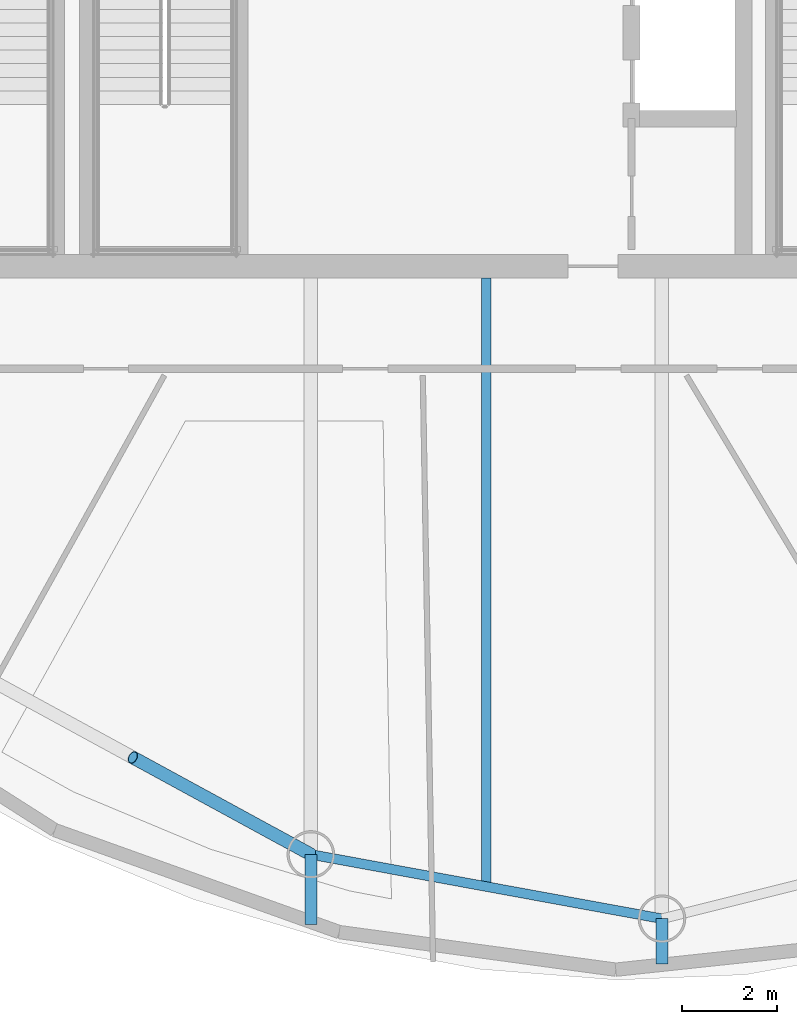
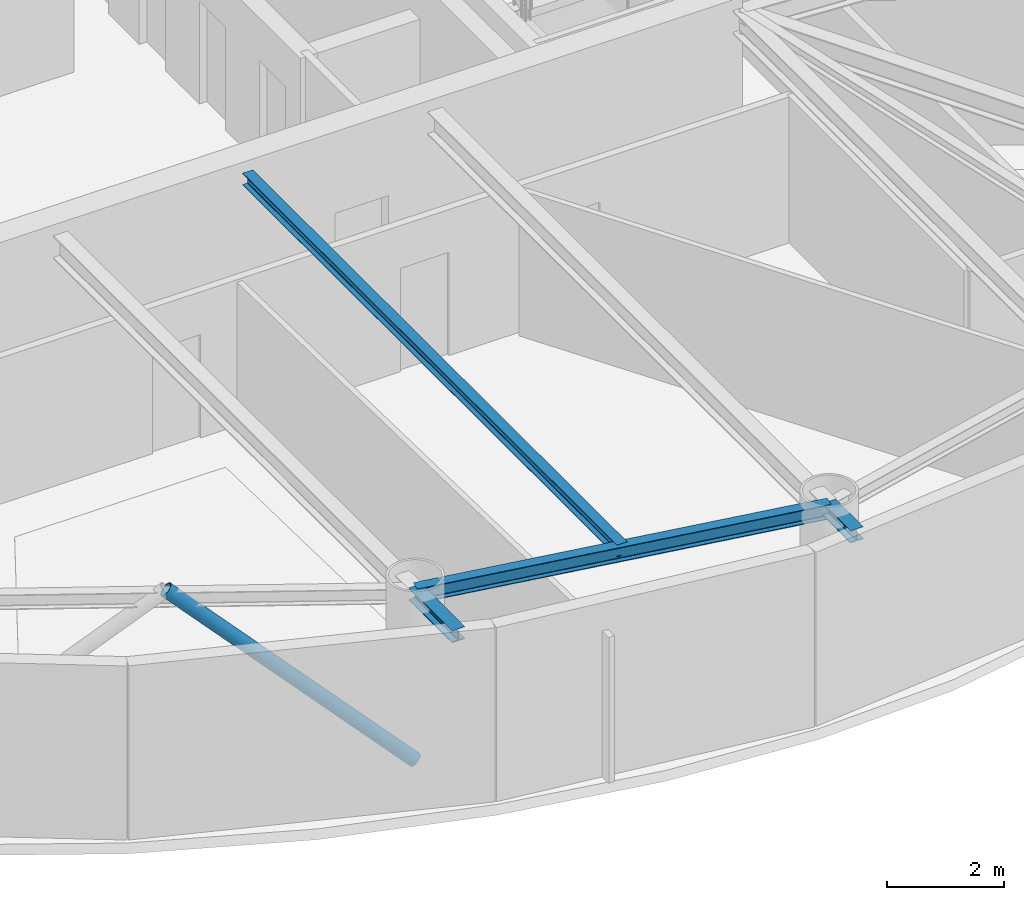
# One storey, part 4 of 22: 4 beams, 1 member.
"""IFC4 building model written with IfcOpenShell, lengths in metres."""

import ifcopenshell
import ifcopenshell.guid

model = None  # the IFC model being written
_history = None  # IfcOwnerHistory: only IFC2X3 demands one
_inside = {}  # id of a spatial element -> (the spatial element, [elements in it])
_under = {}  # id of a project, library or spatial element -> (it, [spatial elements below it])
_declared = {}  # id of a project -> (the project, [libraries it declares])
_typed = {}  # id of a type object -> (the type object, [elements of that type])
_made_of = {}  # id of a material, layer set ... -> (it, [elements and type objects made of it])


def new_model(schema):
    """Start an empty IFC model of exactly this schema.

    Asked for "IFC4X3", IfcOpenShell would pick the latest addendum, in which some entities
    have other attributes; the version numbers below select the first issue.
    IFC2X3 requires an IfcOwnerHistory on every rooted entity: one is made here for all.
    """
    global model, _history
    if schema == "IFC4X3":
        model = ifcopenshell.file(schema_version=(4, 3, 0, 0))
    else:
        model = ifcopenshell.file(schema=schema)
    _inside.clear()
    _under.clear()
    _declared.clear()
    _typed.clear()
    _made_of.clear()
    _history = None
    if model.schema == "IFC2X3":
        org = make("IfcOrganization", Name="unknown")
        user = make(
            "IfcPersonAndOrganization",
            ThePerson=make("IfcPerson", FamilyName="unknown"),
            TheOrganization=org,
        )
        app = make(
            "IfcApplication",
            ApplicationDeveloper=org,
            Version="unknown",
            ApplicationFullName="unknown",
            ApplicationIdentifier="unknown",
        )
        _history = make(
            "IfcOwnerHistory",
            OwningUser=user,
            OwningApplication=app,
            ChangeAction="ADDED",
            CreationDate=0,
        )
    return model


def make(cls, **values):
    """One entity of the class cls with the attributes given. An attribute that is None is left unset."""
    return model.create_entity(
        cls, **{name: value for name, value in values.items() if value is not None}
    )


def rooted(cls, **values):
    """An entity with a GlobalId (a new one), such as an element, a storey or a relation."""
    return make(cls, GlobalId=ifcopenshell.guid.new(), OwnerHistory=_history, **values)


def si_unit(unit_type, name, prefix=None):
    """IfcSIUnit, for example si_unit("LENGTHUNIT", "METRE", prefix="MILLI")."""
    return make("IfcSIUnit", UnitType=unit_type, Prefix=prefix, Name=name)


def assignment(units):
    """IfcUnitAssignment: the units of a project."""
    return None if units is None else make("IfcUnitAssignment", Units=units)


def point(xyz):
    """IfcCartesianPoint."""
    return None if xyz is None else make("IfcCartesianPoint", Coordinates=xyz)


def direction(xyz):
    """IfcDirection."""
    return None if xyz is None else make("IfcDirection", DirectionRatios=xyz)


def frame(location, z_axis=None, x_axis=None):
    """IfcAxis2Placement3D, a coordinate frame: its origin and axes. An axis left out is left unset."""
    return make(
        "IfcAxis2Placement3D",
        Location=point(location),
        Axis=direction(z_axis),
        RefDirection=direction(x_axis),
    )


def frame_2d(location, x_axis=None):
    """IfcAxis2Placement2D, a coordinate frame in the plane: its origin and x axis."""
    return make(
        "IfcAxis2Placement2D", Location=point(location), RefDirection=direction(x_axis)
    )


def origin():
    """The frame at (0, 0, 0) with its axes left unset."""
    return frame((0.0, 0.0, 0.0))


def origin_2d():
    """The frame at (0, 0) in the plane with its x axis left unset."""
    return frame_2d((0.0, 0.0))


def place(relative_to, where):
    """IfcLocalPlacement: puts the frame where relative to a parent placement (None: the world)."""
    return make(
        "IfcLocalPlacement", PlacementRelTo=relative_to, RelativePlacement=where
    )


def context(
    kind, dimensions, precision=None, world=None, true_north=None, identifier=None
):
    """IfcGeometricRepresentationContext, for example the 3D "Model" context."""
    return make(
        "IfcGeometricRepresentationContext",
        ContextIdentifier=identifier,
        ContextType=kind,
        CoordinateSpaceDimension=dimensions,
        Precision=precision,
        WorldCoordinateSystem=world,
        TrueNorth=true_north,
    )


def subcontext(parent, identifier, kind, view, scale=None):
    """IfcGeometricRepresentationSubContext, for example "Body" below "Model"."""
    return make(
        "IfcGeometricRepresentationSubContext",
        ContextIdentifier=identifier,
        ContextType=kind,
        ParentContext=parent,
        TargetScale=scale,
        TargetView=view,
    )


def project(units=None, contexts=None):
    """IfcProject with its units and contexts."""
    return rooted(
        "IfcProject",
        Name="project",
        RepresentationContexts=contexts,
        UnitsInContext=assignment(units),
    )


def spatial(cls, under=None, at=None, **own):
    """A site, building, storey or space (cls), placed at a placement, below another one or the project."""
    s = rooted(cls, ObjectPlacement=at, **own)
    if under is not None:
        _under.setdefault(under.id(), (under, []))[1].append(s)
    return s


def profile(cls, at=None, kind="AREA", **sizes):
    """A parametric profile (cls). Its sizes go by their IFC names, for example OverallWidth=200.0."""
    return make(cls, ProfileType=kind, Position=at, **sizes)


def hollow_circle(**sizes):
    """IfcCircleHollowProfileDef."""
    return profile("IfcCircleHollowProfileDef", **sizes)


def i_section(**sizes):
    """IfcIShapeProfileDef."""
    return profile("IfcIShapeProfileDef", **sizes)


def extrude(swept, where, along, depth):
    """IfcExtrudedAreaSolid: the profile swept, set in the frame where, extruded along a direction by depth."""
    return make(
        "IfcExtrudedAreaSolid",
        SweptArea=swept,
        Position=where,
        ExtrudedDirection=direction(along),
        Depth=depth,
    )


def shape(context_of_items, identifier, shape_type, items):
    """IfcShapeRepresentation: the items that make up one representation, for example the "Body"."""
    return make(
        "IfcShapeRepresentation",
        ContextOfItems=context_of_items,
        RepresentationIdentifier=identifier,
        RepresentationType=shape_type,
        Items=items,
    )


def material(Name=None, Category=None):
    """IfcMaterial."""
    return make("IfcMaterial", Name=Name, Category=Category)


def material_profile(
    of_material, cross_section, Name=None, Category=None, Priority=None
):
    """IfcMaterialProfile: a cross section and its material."""
    return make(
        "IfcMaterialProfile",
        Name=Name,
        Material=of_material,
        Profile=cross_section,
        Priority=Priority,
        Category=Category,
    )


def profile_set(profiles, Name=None, composite=None):
    """IfcMaterialProfileSet."""
    return make(
        "IfcMaterialProfileSet",
        Name=Name,
        MaterialProfiles=profiles,
        CompositeProfile=composite,
    )


def made_of(thing, what):
    """Note that an element or type object is made of a material, layer set ...; save() writes the relation."""
    if what is not None:
        _made_of.setdefault(what.id(), (what, []))[1].append(thing)
    return thing


def type_object(cls, material=None, **own):
    """A type object (cls), such as IfcWallType, which elements share."""
    return made_of(rooted(cls, **own), material)


def element(
    cls,
    number,
    at=None,
    inside=None,
    cuts=None,
    type_object=None,
    material=None,
    context=None,
    identifier="Body",
    shape_type=None,
    held_by="IfcProductDefinitionShape",
    body=None,
    shapes=None,
    **own,
):
    """One element of the class cls, such as IfcWall. Its Tag is "e" and its number.

    at: its placement. inside: the storey or other place that contains it. cuts: it is an
    opening in that element (IfcRelVoidsElement). A single representation is given by context,
    identifier, shape_type and body (its items); several are given by shapes. held_by: the class
    of the entity that holds the representations. save() writes the other relations.
    """
    e = rooted(cls, Tag="e%d" % number, ObjectPlacement=at, **own)
    if body is not None:
        shapes = [shape(context, identifier, shape_type, body)]
    if shapes is not None:
        e.Representation = make(held_by, Representations=shapes)
    if inside is not None:
        _inside.setdefault(inside.id(), (inside, []))[1].append(e)
    if cuts is not None:
        rooted(
            "IfcRelVoidsElement", RelatingBuildingElement=cuts, RelatedOpeningElement=e
        )
    if type_object is not None:
        _typed.setdefault(type_object.id(), (type_object, []))[1].append(e)
    return made_of(e, material)


def aggregate(whole, parts):
    """IfcRelAggregates: a whole, such as a stair, and the parts it consists of."""
    return rooted("IfcRelAggregates", RelatingObject=whole, RelatedObjects=parts)


def save(model, path):
    """Write the relations noted so far, then the file.

    IfcRelAggregates (storeys below a building ...), IfcRelContainedInSpatialStructure (elements
    in a storey), IfcRelDefinesByType, IfcRelAssociatesMaterial and IfcRelDeclares: one each for
    every whole, place, type object, material and project.
    """
    for whole, parts in _under.values():
        aggregate(whole, parts)
    for where, things in _inside.values():
        rooted(
            "IfcRelContainedInSpatialStructure",
            RelatedElements=things,
            RelatingStructure=where,
        )
    for kind, things in _typed.values():
        rooted("IfcRelDefinesByType", RelatedObjects=things, RelatingType=kind)
    for what, things in _made_of.values():
        rooted("IfcRelAssociatesMaterial", RelatedObjects=things, RelatingMaterial=what)
    for by, libraries in _declared.values():
        rooted("IfcRelDeclares", RelatingContext=by, RelatedDefinitions=libraries)
    model.write(path)


model = new_model("IFC4")

# Units and contexts
model_context = context("Model", 3, precision=1e-05, world=origin(), true_north=direction((0.0, 1.0)))
body_context = subcontext(model_context, "Body", "Model", "MODEL_VIEW")
ifc_project = project(units=[si_unit("LENGTHUNIT", "METRE"), si_unit("AREAUNIT", "SQUARE_METRE"), si_unit("VOLUMEUNIT", "CUBIC_METRE"), si_unit("PLANEANGLEUNIT", "RADIAN"), si_unit("MASSUNIT", "GRAM", prefix="KILO")], contexts=[model_context])

# Site, building, storey
site_placement = place(None, origin())
site = spatial("IfcSite", under=ifc_project, at=site_placement, CompositionType="ELEMENT")
building_placement = place(site_placement, origin())
building = spatial("IfcBuilding", under=site, at=building_placement, Name="Bramvorn Convention Spire", CompositionType="ELEMENT")
storey_placement = place(building_placement, frame((0.0, 0.0, 253.60009765625)))
storey = spatial("IfcBuildingStorey", under=building, at=storey_placement, Name="L64", CompositionType="ELEMENT", Elevation=253.60009765625)

# Beams
ifc_material = material(Name="Steel CSA G40.21 Grade 350 (350W)", Category="steel")
ifc_material_profile_1 = material_profile(ifc_material, i_section(OverallWidth=0.201904296875, OverallDepth=0.2470703125, WebThickness=0.00732421875, FlangeThickness=0.010986328125, FilletRadius=0.011962890625, at=origin_2d()))
ifc_profile_set_1 = profile_set([ifc_material_profile_1], Name="Steel CSA G40.21 Grade 350 (350W) - W250X49")
beam_type_1 = type_object("IfcBeamType", Name="BM-W250X49", PredefinedType="JOIST", material=ifc_profile_set_1)
beam_1_placement = place(storey_placement, frame((39.501953125, 18.550048828125, 3.50146484375), z_axis=(0.0, -1.0, 0.0), x_axis=(1.0, 0.0, 0.0)))
element("IfcBeam", 1, at=beam_1_placement, inside=storey, type_object=beam_type_1, Name="L64 composite floor joist 15", PredefinedType="JOIST", context=body_context, shape_type="SweptSolid", body=[
    extrude(i_section(OverallWidth=0.201904296875, OverallDepth=0.2470703125, WebThickness=0.00732421875, FlangeThickness=0.010986328125, FilletRadius=0.011962890625, at=origin_2d()), origin(), (0.0, 0.0, 1.0), 12.77587890625),
])
ifc_material_profile_2 = material_profile(ifc_material, i_section(OverallWidth=0.25390625, OverallDepth=0.2529296875, WebThickness=0.008544921875, FlangeThickness=0.01416015625, FilletRadius=0.011962890625, at=origin_2d()))
ifc_profile_set_2 = profile_set([ifc_material_profile_2], Name="Steel CSA G40.21 Grade 350 (350W) - W250X73")
beam_type_2 = type_object("IfcBeamType", Name="BM-W250X73", PredefinedType="BEAM", material=ifc_profile_set_2)
beam_2_placement = place(storey_placement, frame((35.8154296875, 6.44921875, 3.498291015625), z_axis=(0.0, -1.0, 0.0), x_axis=(1.0, 0.0, 0.0)))
element("IfcBeam", 2, at=beam_2_placement, inside=storey, type_object=beam_type_2, Name="L64 slab-edge cantilever tip beam MC15", PredefinedType="BEAM", context=body_context, shape_type="SweptSolid", body=[
    extrude(i_section(OverallWidth=0.25390625, OverallDepth=0.2529296875, WebThickness=0.008544921875, FlangeThickness=0.01416015625, FilletRadius=0.011962890625, at=origin_2d()), origin(), (0.0, 0.0, 1.0), 1.4736328125),
])
beam_3_placement = place(storey_placement, frame((43.1884765625, 5.09912109375, 3.498291015625), z_axis=(0.0, -1.0, 0.0), x_axis=(1.0, 0.0, 0.0)))
element("IfcBeam", 3, at=beam_3_placement, inside=storey, type_object=beam_type_2, Name="L64 slab-edge cantilever tip beam MC16", PredefinedType="BEAM", context=body_context, shape_type="SweptSolid", body=[
    extrude(i_section(OverallWidth=0.25390625, OverallDepth=0.2529296875, WebThickness=0.008544921875, FlangeThickness=0.01416015625, FilletRadius=0.011962890625, at=origin_2d()), origin(), (0.0, 0.0, 1.0), 0.948974609375),
])
ifc_material_profile_3 = material_profile(ifc_material, i_section(OverallWidth=0.202880859375, OverallDepth=0.302978515625, WebThickness=0.007568359375, FlangeThickness=0.01318359375, FilletRadius=0.013916015625, at=origin_2d()))
ifc_profile_set_3 = profile_set([ifc_material_profile_3], Name="Steel CSA G40.21 Grade 350 (350W) - W310X60")
beam_type_3 = type_object("IfcBeamType", Name="BM-W310X60", PredefinedType="JOIST", material=ifc_profile_set_3)
beam_4_placement = place(storey_placement, frame((35.8154296875, 6.44921875, 3.473388671875), z_axis=(0.983645049461, -0.180117785547, 0.0), x_axis=(0.180117785547, 0.983645049461, 0.0)))
element("IfcBeam", 4, at=beam_4_placement, inside=storey, type_object=beam_type_3, Name="L64 mega-column ring beam 15", PredefinedType="JOIST", context=body_context, shape_type="SweptSolid", body=[
    extrude(i_section(OverallWidth=0.202880859375, OverallDepth=0.302978515625, WebThickness=0.007568359375, FlangeThickness=0.01318359375, FilletRadius=0.013916015625, at=origin_2d()), origin(), (0.0, 0.0, 1.0), 7.49560546875),
])

# Member
ifc_material_profile_4 = material_profile(ifc_material, hollow_circle(Radius=0.136474609375, WallThickness=0.0126953125, at=origin_2d()))
ifc_profile_set_4 = profile_set([ifc_material_profile_4], Name="Steel CSA G40.21 Grade 350 (350W) - CHS273X13")
member_type = type_object("IfcMemberType", Name="MBR-CHS273X13", PredefinedType="BRACE", material=ifc_profile_set_4)
member_placement = place(storey_placement, frame((35.8154296875, 6.44921875, 0.0), z_axis=(-0.668620574392, 0.364261554927, 0.64827466949), x_axis=(-0.478406114461, -0.878138707521, 0.0)))
element("IfcMember", 5, at=member_placement, inside=storey, type_object=member_type, Name="L64 perimeter Gothic lancet brace 14B", PredefinedType="BRACE", context=body_context, shape_type="SweptSolid", body=[
    extrude(hollow_circle(Radius=0.136474609375, WallThickness=0.0126953125, at=origin_2d()), origin(), (0.0, 0.0, 1.0), 5.591796875),
])

save(model, "model.ifc")
